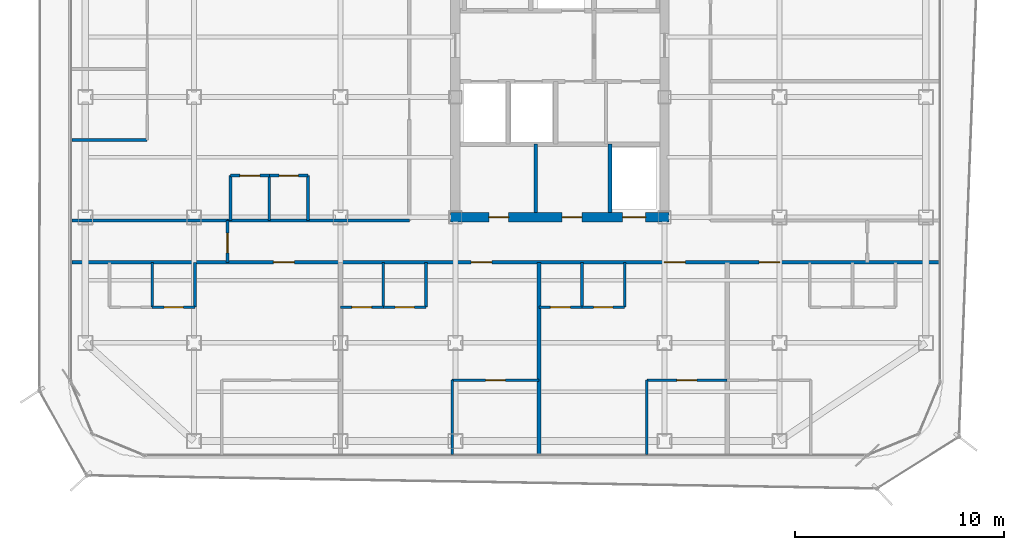
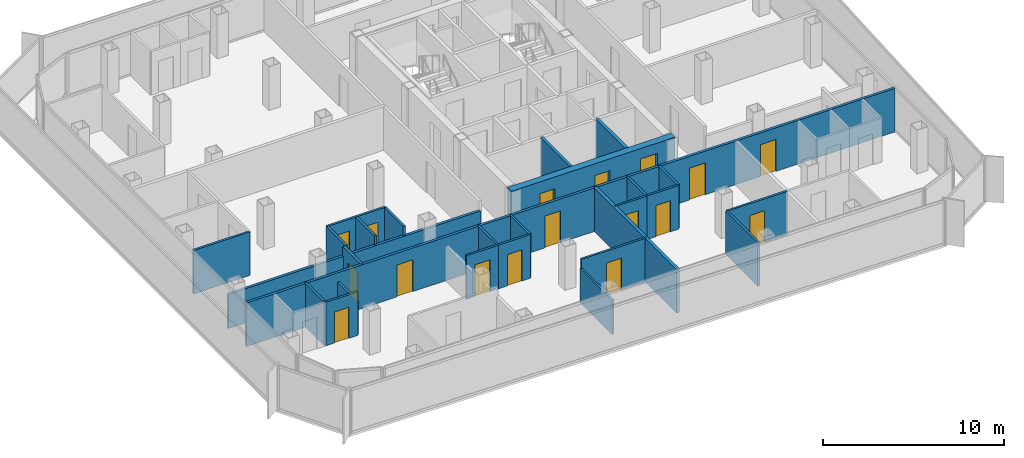
# One storey, part 10 of 16: 29 walls, 17 doors, 17 openings.
"""IFC4 building model written with IfcOpenShell, lengths in metres."""

from ifc_helpers import new_model, si_unit, direction, frame, frame_2d, origin, place, context, subcontext, project, spatial, rectangle, extrude, material, layer, layer_set, type_object, element, fill, save


model = new_model("IFC4")

# Units and contexts
model_context = context("Model", 3, precision=1e-05, world=origin(), true_north=direction((0.0, 1.0)))
body_context = subcontext(model_context, "Body", "Model", "MODEL_VIEW")
ifc_project = project(units=[si_unit("LENGTHUNIT", "METRE"), si_unit("AREAUNIT", "SQUARE_METRE"), si_unit("VOLUMEUNIT", "CUBIC_METRE"), si_unit("PLANEANGLEUNIT", "RADIAN"), si_unit("MASSUNIT", "GRAM", prefix="KILO")], contexts=[model_context])

# Site, building, storey
site_placement = place(None, origin())
site = spatial("IfcSite", under=ifc_project, at=site_placement, CompositionType="ELEMENT")
building_placement = place(site_placement, origin())
building = spatial("IfcBuilding", under=site, at=building_placement, Name="Kolveth Station Tower", CompositionType="ELEMENT")
storey_placement = place(building_placement, frame((0.0, 0.0, 206.0)))
storey = spatial("IfcBuildingStorey", under=building, at=storey_placement, Name="L58", CompositionType="ELEMENT", Elevation=206.0)

# Wall, openings, doors
ifc_material_1 = material(Name="Concrete C50/60", Category="concrete")
ifc_layer_1 = layer(ifc_material_1, 0.449951171875)
ifc_layer_set_1 = layer_set([ifc_layer_1], Name="Concrete C50/60")
wall_type_1 = type_object("IfcWallType", Name="Wall_CW-450", PredefinedType="SHEAR", material=ifc_layer_set_1)
wall_1_placement = place(storey_placement, frame((18.27490234375, 11.5, 0.0), z_axis=(0.0, 0.0, 1.0), x_axis=(1.0, 0.0, 0.0)))
wall_1 = element("IfcWall", 1, at=wall_1_placement, inside=storey, type_object=wall_type_1, Name="L58 Core RC Shear Wall S", PredefinedType="SHEAR", context=body_context, shape_type="SweptSolid", body=[
    extrude(rectangle(XDim=10.4501953125, YDim=0.449951171875, at=frame_2d((5.22509765625, 0.0))), origin(), (0.0, 0.0, 1.0), 2.949951171875),
])
opening_1_placement = place(wall_1_placement, frame((1.824951171875, 0.0, 0.0)))
opening_1 = element("IfcOpeningElement", 2, at=opening_1_placement, cuts=wall_1, Name="Opening ID1", PredefinedType="OPENING", context=body_context, shape_type="SweptSolid", body=[
    extrude(rectangle(XDim=0.949951171875, YDim=2.14990234375, at=frame_2d((0.47509765625, 1.074951171875))), frame((0.0, 0.23486328125, 0.0), z_axis=(0.0, -1.0, 0.0), x_axis=(1.0, 0.0, 0.0)), (0.0, 0.0, 1.0), 0.469970703125),
])
opening_2_placement = place(wall_1_placement, frame((5.324951171875, 0.0, 0.0)))
opening_2 = element("IfcOpeningElement", 3, at=opening_2_placement, cuts=wall_1, Name="Opening ID1", PredefinedType="OPENING", context=body_context, shape_type="SweptSolid", body=[
    extrude(rectangle(XDim=0.949951171875, YDim=2.14990234375, at=frame_2d((0.47509765625, 1.074951171875))), frame((0.0, 0.23486328125, 0.0), z_axis=(0.0, -1.0, 0.0), x_axis=(1.0, 0.0, 0.0)), (0.0, 0.0, 1.0), 0.469970703125),
])
opening_3_placement = place(wall_1_placement, frame((8.22509765625, 0.0, 0.0)))
opening_3 = element("IfcOpeningElement", 4, at=opening_3_placement, cuts=wall_1, Name="Opening LD1", PredefinedType="OPENING", context=body_context, shape_type="SweptSolid", body=[
    extrude(rectangle(XDim=1.10009765625, YDim=2.25, at=frame_2d((0.550048828125, 1.125))), frame((0.0, 0.23486328125, 0.0), z_axis=(0.0, -1.0, 0.0), x_axis=(1.0, 0.0, 0.0)), (0.0, 0.0, 1.0), 0.469970703125),
])
ifc_material_2 = material(Name="Acoustic hardwood leaf and aluminium frame", Category="wood")
door_type_1 = type_object("IfcDoorType", Name="Door_ID1", OperationType="NOTDEFINED", PredefinedType="DOOR", material=ifc_material_2)
door_1_placement = place(opening_1_placement, frame((0.949951171875, 0.0, 0.0), z_axis=(0.0, 0.0, 1.0), x_axis=(-1.0, 0.0, 0.0)))
door_1 = element("IfcDoor", 5, at=door_1_placement, inside=storey, type_object=door_type_1, Name="L58 Laundry Room Door", OperationType="SINGLE_SWING_LEFT", OverallHeight=2.14990234375, OverallWidth=0.949951171875, PredefinedType="DOOR", context=body_context, shape_type="SweptSolid", body=[
    extrude(rectangle(XDim=0.949951171875, YDim=2.14990234375, at=frame_2d((0.47509765625, 1.074951171875))), frame((0.0, 0.02490234375, 0.0), z_axis=(0.0, -1.0, 0.0), x_axis=(1.0, 0.0, 0.0)), (0.0, 0.0, 1.0), 0.050048828125),
])
fill(opening_1, door_1)
door_2_placement = place(opening_2_placement, frame((0.949951171875, 0.0, 0.0), z_axis=(0.0, 0.0, 1.0), x_axis=(-1.0, 0.0, 0.0)))
door_2 = element("IfcDoor", 6, at=door_2_placement, inside=storey, type_object=door_type_1, Name="L58 Parcel Room Door", OperationType="SINGLE_SWING_RIGHT", OverallHeight=2.14990234375, OverallWidth=0.949951171875, PredefinedType="DOOR", context=body_context, shape_type="SweptSolid", body=[
    extrude(rectangle(XDim=0.949951171875, YDim=2.14990234375, at=frame_2d((0.47509765625, 1.074951171875))), frame((0.0, 0.02490234375, 0.0), z_axis=(0.0, -1.0, 0.0), x_axis=(1.0, 0.0, 0.0)), (0.0, 0.0, 1.0), 0.050048828125),
])
fill(opening_2, door_2)
ifc_material_3 = material(Name="Brushed stainless steel sliding landing doors", Category="steel")
door_type_2 = type_object("IfcDoorType", Name="Door_LD1", OperationType="NOTDEFINED", PredefinedType="DOOR", material=ifc_material_3)
door_3_placement = place(opening_3_placement, frame((1.10009765625, 0.0, 0.0), z_axis=(0.0, 0.0, 1.0), x_axis=(-1.0, 0.0, 0.0)))
door_3 = element("IfcDoor", 7, at=door_3_placement, inside=storey, type_object=door_type_2, Name="L58 Lift PH1 Landing Door", OperationType="DOUBLE_DOOR_SLIDING", OverallHeight=2.25, OverallWidth=1.10009765625, PredefinedType="DOOR", context=body_context, shape_type="SweptSolid", body=[
    extrude(rectangle(XDim=1.10009765625, YDim=2.25, at=frame_2d((0.550048828125, 1.125))), frame((0.0, 0.02490234375, 0.0), z_axis=(0.0, -1.0, 0.0), x_axis=(1.0, 0.0, 0.0)), (0.0, 0.0, 1.0), 0.050048828125),
])
fill(opening_3, door_3)

# Wall, opening, door
ifc_material_4 = material(Name="Moisture-resistant gypsum partition")
ifc_layer_2 = layer(ifc_material_4, 0.135009765625)
ifc_layer_set_2 = layer_set([ifc_layer_2], Name="Moisture-resistant gypsum partition")
wall_type_2 = type_object("IfcWallType", Name="Wall_IW-135", PredefinedType="PARTITIONING", material=ifc_layer_set_2)
wall_2_placement = place(storey_placement, frame((4.0, 7.199951171875, 0.0), z_axis=(0.0, 0.0, 1.0), x_axis=(1.0, 0.0, 0.0)))
wall_2 = element("IfcWall", 8, at=wall_2_placement, inside=storey, type_object=wall_type_2, Name="L58 Partition Wall WL-L58-A1-IBHB", PredefinedType="PARTITIONING", context=body_context, shape_type="SweptSolid", body=[
    extrude(rectangle(XDim=2.050048828125, YDim=0.135009765625, at=frame_2d((1.02490234375, 0.0))), origin(), (0.0, 0.0, 1.0), 2.949951171875),
])
opening_4_placement = place(wall_2_placement, frame((0.56494140625, 0.0, 0.0)))
opening_4 = element("IfcOpeningElement", 9, at=opening_4_placement, cuts=wall_2, Name="Opening ID2", PredefinedType="OPENING", context=body_context, shape_type="SweptSolid", body=[
    extrude(rectangle(XDim=0.919921875, YDim=2.10009765625, at=frame_2d((0.4599609375, 1.050048828125))), frame((0.0, 0.077392578125, 0.0), z_axis=(0.0, -1.0, 0.0), x_axis=(1.0, 0.0, 0.0)), (0.0, 0.0, 1.0), 0.155029296875),
])
ifc_material_5 = material(Name="Moisture-resistant hardwood leaf", Category="wood")
door_type_3 = type_object("IfcDoorType", Name="Door_ID2", OperationType="NOTDEFINED", PredefinedType="DOOR", material=ifc_material_5)
door_4_placement = place(opening_4_placement, origin())
door_4 = element("IfcDoor", 10, at=door_4_placement, inside=storey, type_object=door_type_3, Name="Penthouse Flat L58-A1 Bathroom Door", OperationType="SINGLE_SWING_RIGHT", OverallHeight=2.10009765625, OverallWidth=0.919921875, PredefinedType="DOOR", context=body_context, shape_type="SweptSolid", body=[
    extrude(rectangle(XDim=0.919921875, YDim=2.10009765625, at=frame_2d((0.4599609375, 1.050048828125))), frame((0.0, 0.02490234375, 0.0), z_axis=(0.0, -1.0, 0.0), x_axis=(1.0, 0.0, 0.0)), (0.0, 0.0, 1.0), 0.050048828125),
])
fill(opening_4, door_4)

# Walls
wall_3_placement = place(storey_placement, frame((4.0, 7.199951171875, 0.0), z_axis=(0.0, 0.0, 1.0), x_axis=(0.0, 1.0, 0.0)))
element("IfcWall", 11, at=wall_3_placement, inside=storey, type_object=wall_type_2, Name="L58 Partition Wall WL-L58-A1-IBV1", PredefinedType="PARTITIONING", context=body_context, shape_type="SweptSolid", body=[
    extrude(rectangle(XDim=2.150146484375, YDim=0.135009765625, at=frame_2d((1.0751953125, 0.0))), origin(), (0.0, 0.0, 1.0), 2.949951171875),
])
wall_4_placement = place(storey_placement, frame((6.050048828125, 7.199951171875, 0.0), z_axis=(0.0, 0.0, 1.0), x_axis=(0.0, 1.0, 0.0)))
element("IfcWall", 12, at=wall_4_placement, inside=storey, type_object=wall_type_2, Name="L58 Partition Wall WL-L58-A1-IBV2", PredefinedType="PARTITIONING", context=body_context, shape_type="SweptSolid", body=[
    extrude(rectangle(XDim=2.150146484375, YDim=0.135009765625, at=frame_2d((1.0751953125, 0.0))), origin(), (0.0, 0.0, 1.0), 2.322998046875),
])

# Wall, opening, door
wall_5_placement = place(storey_placement, frame((13.0, 7.199951171875, 0.0), z_axis=(0.0, 0.0, 1.0), x_axis=(1.0, 0.0, 0.0)))
wall_5 = element("IfcWall", 13, at=wall_5_placement, inside=storey, type_object=wall_type_2, Name="L58 Partition Wall WL-L58-A2-IBHK", PredefinedType="PARTITIONING", context=body_context, shape_type="SweptSolid", body=[
    extrude(rectangle(XDim=2.050048828125, YDim=0.135009765625, at=frame_2d((1.02490234375, 0.0))), origin(), (0.0, 0.0, 1.0), 2.949951171875),
])
opening_5_placement = place(wall_5_placement, frame((0.544921875, 0.0, 0.0)))
opening_5 = element("IfcOpeningElement", 14, at=opening_5_placement, cuts=wall_5, Name="Opening ID1", PredefinedType="OPENING", context=body_context, shape_type="SweptSolid", body=[
    extrude(rectangle(XDim=0.949951171875, YDim=2.14990234375, at=frame_2d((0.47509765625, 1.074951171875))), frame((0.0, 0.077392578125, 0.0), z_axis=(0.0, -1.0, 0.0), x_axis=(1.0, 0.0, 0.0)), (0.0, 0.0, 1.0), 0.155029296875),
])
door_5_placement = place(opening_5_placement, origin())
door_5 = element("IfcDoor", 15, at=door_5_placement, inside=storey, type_object=door_type_1, Name="Flat L58-A2 Kitchen Door", OperationType="SINGLE_SWING_LEFT", OverallHeight=2.14990234375, OverallWidth=0.949951171875, PredefinedType="DOOR", context=body_context, shape_type="SweptSolid", body=[
    extrude(rectangle(XDim=0.949951171875, YDim=2.14990234375, at=frame_2d((0.47509765625, 1.074951171875))), frame((0.0, 0.02490234375, 0.0), z_axis=(0.0, -1.0, 0.0), x_axis=(1.0, 0.0, 0.0)), (0.0, 0.0, 1.0), 0.050048828125),
])
fill(opening_5, door_5)

wall_6_placement = place(storey_placement, frame((15.050048828125, 7.199951171875, 0.0), z_axis=(0.0, 0.0, 1.0), x_axis=(1.0, 0.0, 0.0)))
wall_6 = element("IfcWall", 16, at=wall_6_placement, inside=storey, type_object=wall_type_2, Name="L58 Partition Wall WL-L58-A2-IBHB", PredefinedType="PARTITIONING", context=body_context, shape_type="SweptSolid", body=[
    extrude(rectangle(XDim=2.050048828125, YDim=0.135009765625, at=frame_2d((1.02490234375, 0.0))), origin(), (0.0, 0.0, 1.0), 2.949951171875),
])
opening_6_placement = place(wall_6_placement, frame((0.56494140625, 0.0, 0.0)))
opening_6 = element("IfcOpeningElement", 17, at=opening_6_placement, cuts=wall_6, Name="Opening ID2", PredefinedType="OPENING", context=body_context, shape_type="SweptSolid", body=[
    extrude(rectangle(XDim=0.919921875, YDim=2.10009765625, at=frame_2d((0.4599609375, 1.050048828125))), frame((0.0, 0.077392578125, 0.0), z_axis=(0.0, -1.0, 0.0), x_axis=(1.0, 0.0, 0.0)), (0.0, 0.0, 1.0), 0.155029296875),
])
door_6_placement = place(opening_6_placement, origin())
door_6 = element("IfcDoor", 18, at=door_6_placement, inside=storey, type_object=door_type_3, Name="Flat L58-A2 Bathroom Door", OperationType="SINGLE_SWING_LEFT", OverallHeight=2.10009765625, OverallWidth=0.919921875, PredefinedType="DOOR", context=body_context, shape_type="SweptSolid", body=[
    extrude(rectangle(XDim=0.919921875, YDim=2.10009765625, at=frame_2d((0.4599609375, 1.050048828125))), frame((0.0, 0.02490234375, 0.0), z_axis=(0.0, -1.0, 0.0), x_axis=(1.0, 0.0, 0.0)), (0.0, 0.0, 1.0), 0.050048828125),
])
fill(opening_6, door_6)

# Walls
for number, where, z_axis, x_axis, name in (
    (19, (15.050048828125, 7.199951171875, 0.0), (0.0, 0.0, 1.0), (0.0, 1.0, 0.0), "L58 Partition Wall WL-L58-A2-IBV1"),
    (20, (17.10009765625, 7.199951171875, 0.0), (0.0, 0.0, 1.0), (0.0, 1.0, 0.0), "L58 Partition Wall WL-L58-A2-IBV2"),
):
    element("IfcWall", number, at=place(storey_placement, frame(where, z_axis=z_axis, x_axis=x_axis)), inside=storey, type_object=wall_type_2, Name=name, PredefinedType="PARTITIONING", context=body_context, shape_type="SweptSolid", body=[
        extrude(rectangle(XDim=2.150146484375, YDim=0.135009765625, at=frame_2d((1.0751953125, 0.0))), origin(), (0.0, 0.0, 1.0), 2.949951171875),
    ])
wall_7_placement = place(storey_placement, frame((18.345947265625, 0.159912109375, 0.0), z_axis=(0.0, 0.0, 1.0), x_axis=(0.0, 1.0, 0.0)))
element("IfcWall", 21, at=wall_7_placement, inside=storey, type_object=wall_type_2, Name="L58 Partition Wall WL-L58-A2-BDV0", PredefinedType="PARTITIONING", context=body_context, shape_type="SweptSolid", body=[
    extrude(rectangle(XDim=3.550048828125, YDim=0.135009765625, at=frame_2d((1.77490234375, 0.0))), origin(), (0.0, 0.0, 1.0), 2.322998046875),
])

# Wall, opening, door
wall_8_placement = place(storey_placement, frame((18.345947265625, 3.7099609375, 0.0), z_axis=(0.0, 0.0, 1.0), x_axis=(1.0, 0.0, 0.0)))
wall_8 = element("IfcWall", 22, at=wall_8_placement, inside=storey, type_object=wall_type_2, Name="L58 Partition Wall WL-L58-A2-BDH1", PredefinedType="PARTITIONING", context=body_context, shape_type="SweptSolid", body=[
    extrude(rectangle(XDim=4.154052734375, YDim=0.135009765625, at=frame_2d((2.0771484375, 0.0))), origin(), (0.0, 0.0, 1.0), 2.949951171875),
])
opening_7_placement = place(wall_8_placement, frame((1.596923828125, 0.0, 0.0)))
opening_7 = element("IfcOpeningElement", 23, at=opening_7_placement, cuts=wall_8, Name="Opening ID1", PredefinedType="OPENING", context=body_context, shape_type="SweptSolid", body=[
    extrude(rectangle(XDim=0.949951171875, YDim=2.14990234375, at=frame_2d((0.47509765625, 1.074951171875))), frame((0.0, 0.077392578125, 0.0), z_axis=(0.0, -1.0, 0.0), x_axis=(1.0, 0.0, 0.0)), (0.0, 0.0, 1.0), 0.155029296875),
])
door_7_placement = place(opening_7_placement, frame((0.949951171875, 0.0, 0.0), z_axis=(0.0, 0.0, 1.0), x_axis=(-1.0, 0.0, 0.0)))
door_7 = element("IfcDoor", 24, at=door_7_placement, inside=storey, type_object=door_type_1, Name="Flat L58-A2 Bedroom 1 Door", OperationType="SINGLE_SWING_LEFT", OverallHeight=2.14990234375, OverallWidth=0.949951171875, PredefinedType="DOOR", context=body_context, shape_type="SweptSolid", body=[
    extrude(rectangle(XDim=0.949951171875, YDim=2.14990234375, at=frame_2d((0.47509765625, 1.074951171875))), frame((0.0, 0.02490234375, 0.0), z_axis=(0.0, -1.0, 0.0), x_axis=(1.0, 0.0, 0.0)), (0.0, 0.0, 1.0), 0.050048828125),
])
fill(opening_7, door_7)

wall_9_placement = place(storey_placement, frame((22.5, 7.199951171875, 0.0), z_axis=(0.0, 0.0, 1.0), x_axis=(1.0, 0.0, 0.0)))
wall_9 = element("IfcWall", 25, at=wall_9_placement, inside=storey, type_object=wall_type_2, Name="L58 Partition Wall WL-L58-A3-IBHK", PredefinedType="PARTITIONING", context=body_context, shape_type="SweptSolid", body=[
    extrude(rectangle(XDim=2.050048828125, YDim=0.135009765625, at=frame_2d((1.02490234375, 0.0))), origin(), (0.0, 0.0, 1.0), 2.949951171875),
])
opening_8_placement = place(wall_9_placement, frame((0.544921875, 0.0, 0.0)))
opening_8 = element("IfcOpeningElement", 26, at=opening_8_placement, cuts=wall_9, Name="Opening ID1", PredefinedType="OPENING", context=body_context, shape_type="SweptSolid", body=[
    extrude(rectangle(XDim=0.949951171875, YDim=2.14990234375, at=frame_2d((0.47509765625, 1.074951171875))), frame((0.0, 0.077392578125, 0.0), z_axis=(0.0, -1.0, 0.0), x_axis=(1.0, 0.0, 0.0)), (0.0, 0.0, 1.0), 0.155029296875),
])
door_8_placement = place(opening_8_placement, origin())
door_8 = element("IfcDoor", 27, at=door_8_placement, inside=storey, type_object=door_type_1, Name="Flat L58-A3 Kitchen Door", OperationType="SINGLE_SWING_LEFT", OverallHeight=2.14990234375, OverallWidth=0.949951171875, PredefinedType="DOOR", context=body_context, shape_type="SweptSolid", body=[
    extrude(rectangle(XDim=0.949951171875, YDim=2.14990234375, at=frame_2d((0.47509765625, 1.074951171875))), frame((0.0, 0.02490234375, 0.0), z_axis=(0.0, -1.0, 0.0), x_axis=(1.0, 0.0, 0.0)), (0.0, 0.0, 1.0), 0.050048828125),
])
fill(opening_8, door_8)

wall_10_placement = place(storey_placement, frame((24.550048828125, 7.199951171875, 0.0), z_axis=(0.0, 0.0, 1.0), x_axis=(1.0, 0.0, 0.0)))
wall_10 = element("IfcWall", 28, at=wall_10_placement, inside=storey, type_object=wall_type_2, Name="L58 Partition Wall WL-L58-A3-IBHB", PredefinedType="PARTITIONING", context=body_context, shape_type="SweptSolid", body=[
    extrude(rectangle(XDim=2.050048828125, YDim=0.135009765625, at=frame_2d((1.02490234375, 0.0))), origin(), (0.0, 0.0, 1.0), 2.949951171875),
])
opening_9_placement = place(wall_10_placement, frame((0.56494140625, 0.0, 0.0)))
opening_9 = element("IfcOpeningElement", 29, at=opening_9_placement, cuts=wall_10, Name="Opening ID2", PredefinedType="OPENING", context=body_context, shape_type="SweptSolid", body=[
    extrude(rectangle(XDim=0.919921875, YDim=2.10009765625, at=frame_2d((0.4599609375, 1.050048828125))), frame((0.0, 0.077392578125, 0.0), z_axis=(0.0, -1.0, 0.0), x_axis=(1.0, 0.0, 0.0)), (0.0, 0.0, 1.0), 0.155029296875),
])
door_9_placement = place(opening_9_placement, origin())
door_9 = element("IfcDoor", 30, at=door_9_placement, inside=storey, type_object=door_type_3, Name="Flat L58-A3 Bathroom Door", OperationType="SINGLE_SWING_RIGHT", OverallHeight=2.10009765625, OverallWidth=0.919921875, PredefinedType="DOOR", context=body_context, shape_type="SweptSolid", body=[
    extrude(rectangle(XDim=0.919921875, YDim=2.10009765625, at=frame_2d((0.4599609375, 1.050048828125))), frame((0.0, 0.02490234375, 0.0), z_axis=(0.0, -1.0, 0.0), x_axis=(1.0, 0.0, 0.0)), (0.0, 0.0, 1.0), 0.050048828125),
])
fill(opening_9, door_9)

# Walls
for number, where, z_axis, x_axis, name in (
    (31, (24.550048828125, 7.199951171875, 0.0), (0.0, 0.0, 1.0), (0.0, 1.0, 0.0), "L58 Partition Wall WL-L58-A3-IBV1"),
    (32, (26.60009765625, 7.199951171875, 0.0), (0.0, 0.0, 1.0), (0.0, 1.0, 0.0), "L58 Partition Wall WL-L58-A3-IBV2"),
):
    element("IfcWall", number, at=place(storey_placement, frame(where, z_axis=z_axis, x_axis=x_axis)), inside=storey, type_object=wall_type_2, Name=name, PredefinedType="PARTITIONING", context=body_context, shape_type="SweptSolid", body=[
        extrude(rectangle(XDim=2.150146484375, YDim=0.135009765625, at=frame_2d((1.0751953125, 0.0))), origin(), (0.0, 0.0, 1.0), 2.949951171875),
    ])
wall_11_placement = place(storey_placement, frame((27.656005859375, 0.159912109375, 0.0), z_axis=(0.0, 0.0, 1.0), x_axis=(0.0, 1.0, 0.0)))
element("IfcWall", 33, at=wall_11_placement, inside=storey, type_object=wall_type_2, Name="L58 Partition Wall WL-L58-A3-BDV0", PredefinedType="PARTITIONING", context=body_context, shape_type="SweptSolid", body=[
    extrude(rectangle(XDim=3.550048828125, YDim=0.135009765625, at=frame_2d((1.77490234375, 0.0))), origin(), (0.0, 0.0, 1.0), 2.949951171875),
])

# Wall, opening, door
wall_12_placement = place(storey_placement, frame((27.656005859375, 3.7099609375, 0.0), z_axis=(0.0, 0.0, 1.0), x_axis=(1.0, 0.0, 0.0)))
wall_12 = element("IfcWall", 34, at=wall_12_placement, inside=storey, type_object=wall_type_2, Name="L58 Partition Wall WL-L58-A3-BDH1", PredefinedType="PARTITIONING", context=body_context, shape_type="SweptSolid", body=[
    extrude(rectangle(XDim=3.843994140625, YDim=0.135009765625, at=frame_2d((1.921875, 0.0))), origin(), (0.0, 0.0, 1.0), 2.949951171875),
])
opening_10_placement = place(wall_12_placement, frame((1.44189453125, 0.0, 0.0)))
opening_10 = element("IfcOpeningElement", 35, at=opening_10_placement, cuts=wall_12, Name="Opening ID1", PredefinedType="OPENING", context=body_context, shape_type="SweptSolid", body=[
    extrude(rectangle(XDim=0.949951171875, YDim=2.14990234375, at=frame_2d((0.47509765625, 1.074951171875))), frame((0.0, 0.077392578125, 0.0), z_axis=(0.0, -1.0, 0.0), x_axis=(1.0, 0.0, 0.0)), (0.0, 0.0, 1.0), 0.155029296875),
])
door_10_placement = place(opening_10_placement, frame((0.949951171875, 0.0, 0.0), z_axis=(0.0, 0.0, 1.0), x_axis=(-1.0, 0.0, 0.0)))
door_10 = element("IfcDoor", 36, at=door_10_placement, inside=storey, type_object=door_type_1, Name="Flat L58-A3 Bedroom 1 Door", OperationType="SINGLE_SWING_LEFT", OverallHeight=2.14990234375, OverallWidth=0.949951171875, PredefinedType="DOOR", context=body_context, shape_type="SweptSolid", body=[
    extrude(rectangle(XDim=0.949951171875, YDim=2.14990234375, at=frame_2d((0.47509765625, 1.074951171875))), frame((0.0, 0.02490234375, 0.0), z_axis=(0.0, -1.0, 0.0), x_axis=(1.0, 0.0, 0.0)), (0.0, 0.0, 1.0), 0.050048828125),
])
fill(opening_10, door_10)

wall_13_placement = place(storey_placement, frame((7.75, 13.5, 0.0), z_axis=(0.0, 0.0, 1.0), x_axis=(1.0, 0.0, 0.0)))
wall_13 = element("IfcWall", 37, at=wall_13_placement, inside=storey, type_object=wall_type_2, Name="L58 Partition Wall WL-L58-W1-IBHK", PredefinedType="PARTITIONING", context=body_context, shape_type="SweptSolid", body=[
    extrude(rectangle(XDim=1.85009765625, YDim=0.135009765625, at=frame_2d((0.925048828125, 0.0))), origin(), (0.0, 0.0, 1.0), 2.949951171875),
])
opening_11_placement = place(wall_13_placement, frame((0.445068359375, 0.0, 0.0)))
opening_11 = element("IfcOpeningElement", 38, at=opening_11_placement, cuts=wall_13, Name="Opening ID1", PredefinedType="OPENING", context=body_context, shape_type="SweptSolid", body=[
    extrude(rectangle(XDim=0.949951171875, YDim=2.14990234375, at=frame_2d((0.47509765625, 1.074951171875))), frame((0.0, 0.077392578125, 0.0), z_axis=(0.0, -1.0, 0.0), x_axis=(1.0, 0.0, 0.0)), (0.0, 0.0, 1.0), 0.155029296875),
])
door_11_placement = place(opening_11_placement, origin())
door_11 = element("IfcDoor", 39, at=door_11_placement, inside=storey, type_object=door_type_1, Name="Penthouse Flat L58-W1 Kitchen Door", OperationType="SINGLE_SWING_LEFT", OverallHeight=2.14990234375, OverallWidth=0.949951171875, PredefinedType="DOOR", context=body_context, shape_type="SweptSolid", body=[
    extrude(rectangle(XDim=0.949951171875, YDim=2.14990234375, at=frame_2d((0.47509765625, 1.074951171875))), frame((0.0, 0.02490234375, 0.0), z_axis=(0.0, -1.0, 0.0), x_axis=(1.0, 0.0, 0.0)), (0.0, 0.0, 1.0), 0.050048828125),
])
fill(opening_11, door_11)

wall_14_placement = place(storey_placement, frame((9.60009765625, 13.5, 0.0), z_axis=(0.0, 0.0, 1.0), x_axis=(1.0, 0.0, 0.0)))
wall_14 = element("IfcWall", 40, at=wall_14_placement, inside=storey, type_object=wall_type_2, Name="L58 Partition Wall WL-L58-W1-IBHB", PredefinedType="PARTITIONING", context=body_context, shape_type="SweptSolid", body=[
    extrude(rectangle(XDim=1.849853515625, YDim=0.135009765625, at=frame_2d((0.9248046875, 0.0))), origin(), (0.0, 0.0, 1.0), 2.949951171875),
])
opening_12_placement = place(wall_14_placement, frame((0.465087890625, 0.0, 0.0)))
opening_12 = element("IfcOpeningElement", 41, at=opening_12_placement, cuts=wall_14, Name="Opening ID2", PredefinedType="OPENING", context=body_context, shape_type="SweptSolid", body=[
    extrude(rectangle(XDim=0.919921875, YDim=2.10009765625, at=frame_2d((0.4599609375, 1.050048828125))), frame((0.0, 0.077392578125, 0.0), z_axis=(0.0, -1.0, 0.0), x_axis=(1.0, 0.0, 0.0)), (0.0, 0.0, 1.0), 0.155029296875),
])
door_12_placement = place(opening_12_placement, origin())
door_12 = element("IfcDoor", 42, at=door_12_placement, inside=storey, type_object=door_type_3, Name="Penthouse Flat L58-W1 Bathroom Door", OperationType="SINGLE_SWING_RIGHT", OverallHeight=2.10009765625, OverallWidth=0.919921875, PredefinedType="DOOR", context=body_context, shape_type="SweptSolid", body=[
    extrude(rectangle(XDim=0.919921875, YDim=2.10009765625, at=frame_2d((0.4599609375, 1.050048828125))), frame((0.0, 0.02490234375, 0.0), z_axis=(0.0, -1.0, 0.0), x_axis=(1.0, 0.0, 0.0)), (0.0, 0.0, 1.0), 0.050048828125),
])
fill(opening_12, door_12)

# Walls
for number, where, z_axis, x_axis, name in (
    (43, (7.75, 11.35009765625, 0.0), (0.0, 0.0, 1.0), (0.0, 1.0, 0.0), "L58 Partition Wall WL-L58-W1-IBV0"),
    (44, (9.60009765625, 11.35009765625, 0.0), (0.0, 0.0, 1.0), (0.0, 1.0, 0.0), "L58 Partition Wall WL-L58-W1-IBV1"),
    (45, (11.449951171875, 11.35009765625, 0.0), (0.0, 0.0, 1.0), (0.0, 1.0, 0.0), "L58 Partition Wall WL-L58-W1-IBV2"),
):
    element("IfcWall", number, at=place(storey_placement, frame(where, z_axis=z_axis, x_axis=x_axis)), inside=storey, type_object=wall_type_2, Name=name, PredefinedType="PARTITIONING", context=body_context, shape_type="SweptSolid", body=[
        extrude(rectangle(XDim=2.14990234375, YDim=0.135009765625, at=frame_2d((1.074951171875, 0.0))), origin(), (0.0, 0.0, 1.0), 2.949951171875),
    ])
wall_15_placement = place(storey_placement, frame((0.159912109375, 15.199951171875, 0.0), z_axis=(0.0, 0.0, 1.0), x_axis=(1.0, 0.0, 0.0)))
element("IfcWall", 46, at=wall_15_placement, inside=storey, type_object=wall_type_2, Name="L58 Partition Wall WL-L58-W1-BDH0", PredefinedType="PARTITIONING", context=body_context, shape_type="SweptSolid", body=[
    extrude(rectangle(XDim=3.60009765625, YDim=0.135009765625, at=frame_2d((1.800048828125, 0.0))), origin(), (0.0, 0.0, 1.0), 2.949951171875),
])
ifc_material_6 = material(Name="Acoustic double-stud gypsum partition")
ifc_layer_3 = layer(ifc_material_6, 0.1650390625)
ifc_layer_set_3 = layer_set([ifc_layer_3], Name="Acoustic double-stud gypsum partition")
wall_type_3 = type_object("IfcWallType", Name="Wall_IW-165", PredefinedType="PARTITIONING", material=ifc_layer_set_3)
wall_16_placement = place(storey_placement, frame((22.35009765625, 11.735107421875, 0.0), z_axis=(0.0, 0.0, 1.0), x_axis=(0.0, 1.0, 0.0)))
element("IfcWall", 47, at=wall_16_placement, inside=storey, type_object=wall_type_3, Name="L58 Partition Wall WL-L58-FR-M", PredefinedType="PARTITIONING", context=body_context, shape_type="SweptSolid", body=[
    extrude(rectangle(XDim=3.264892578125, YDim=0.1650390625, at=frame_2d((1.63232421875, 0.0))), origin(), (0.0, 0.0, 1.0), 2.949951171875),
])

# Wall, openings, doors
wall_17_placement = place(storey_placement, frame((0.159912109375, 9.35009765625, 0.0), z_axis=(0.0, 0.0, 1.0), x_axis=(1.0, 0.0, 0.0)))
wall_17 = element("IfcWall", 48, at=wall_17_placement, inside=storey, type_object=wall_type_3, Name="L58 Partition Wall WL-L58-RS", PredefinedType="PARTITIONING", context=body_context, shape_type="SweptSolid", body=[
    extrude(rectangle(XDim=41.47998046875, YDim=0.1650390625, at=frame_2d((20.739990234375, 0.0))), origin(), (0.0, 0.0, 1.0), 2.949951171875),
])
opening_13_placement = place(wall_17_placement, frame((9.639892578125, 0.0, 0.0)))
opening_13 = element("IfcOpeningElement", 49, at=opening_13_placement, cuts=wall_17, Name="Opening FD3", PredefinedType="OPENING", context=body_context, shape_type="SweptSolid", body=[
    extrude(rectangle(XDim=1.0, YDim=2.14990234375, at=frame_2d((0.5, 1.074951171875))), frame((0.0, 0.092529296875, 0.0), z_axis=(0.0, -1.0, 0.0), x_axis=(1.0, 0.0, 0.0)), (0.0, 0.0, 1.0), 0.18505859375),
])
opening_14_placement = place(wall_17_placement, frame((19.090087890625, 0.0, 0.0)))
opening_14 = element("IfcOpeningElement", 50, at=opening_14_placement, cuts=wall_17, Name="Opening FD3", PredefinedType="OPENING", context=body_context, shape_type="SweptSolid", body=[
    extrude(rectangle(XDim=1.0, YDim=2.14990234375, at=frame_2d((0.5, 1.074951171875))), frame((0.0, 0.092529296875, 0.0), z_axis=(0.0, -1.0, 0.0), x_axis=(1.0, 0.0, 0.0)), (0.0, 0.0, 1.0), 0.18505859375),
])
opening_15_placement = place(wall_17_placement, frame((28.340087890625, 0.0, 0.0)))
opening_15 = element("IfcOpeningElement", 51, at=opening_15_placement, cuts=wall_17, Name="Opening FD3", PredefinedType="OPENING", context=body_context, shape_type="SweptSolid", body=[
    extrude(rectangle(XDim=1.0, YDim=2.14990234375, at=frame_2d((0.5, 1.074951171875))), frame((0.0, 0.092529296875, 0.0), z_axis=(0.0, -1.0, 0.0), x_axis=(1.0, 0.0, 0.0)), (0.0, 0.0, 1.0), 0.18505859375),
])
opening_16_placement = place(wall_17_placement, frame((32.864990234375, 0.0, 0.0)))
opening_16 = element("IfcOpeningElement", 52, at=opening_16_placement, cuts=wall_17, Name="Opening FD3", PredefinedType="OPENING", context=body_context, shape_type="SweptSolid", body=[
    extrude(rectangle(XDim=1.0, YDim=2.14990234375, at=frame_2d((0.5, 1.074951171875))), frame((0.0, 0.092529296875, 0.0), z_axis=(0.0, -1.0, 0.0), x_axis=(1.0, 0.0, 0.0)), (0.0, 0.0, 1.0), 0.18505859375),
])
ifc_material_7 = material(Name="Fire-rated hardwood leaf and aluminium frame", Category="wood")
door_type_4 = type_object("IfcDoorType", Name="Door_FD3", OperationType="NOTDEFINED", PredefinedType="DOOR", material=ifc_material_7)
door_13_placement = place(opening_13_placement, frame((1.0, 0.0, 0.0), z_axis=(0.0, 0.0, 1.0), x_axis=(-1.0, 0.0, 0.0)))
door_13 = element("IfcDoor", 53, at=door_13_placement, inside=storey, type_object=door_type_4, Name="Penthouse Flat L58-A1 Entrance Door", OperationType="SINGLE_SWING_RIGHT", OverallHeight=2.14990234375, OverallWidth=1.0, PredefinedType="DOOR", context=body_context, shape_type="SweptSolid", body=[
    extrude(rectangle(XDim=1.0, YDim=2.14990234375, at=frame_2d((0.5, 1.074951171875))), frame((0.0, 0.02490234375, 0.0), z_axis=(0.0, -1.0, 0.0), x_axis=(1.0, 0.0, 0.0)), (0.0, 0.0, 1.0), 0.050048828125),
])
fill(opening_13, door_13)
door_14_placement = place(opening_14_placement, frame((1.0, 0.0, 0.0), z_axis=(0.0, 0.0, 1.0), x_axis=(-1.0, 0.0, 0.0)))
door_14 = element("IfcDoor", 54, at=door_14_placement, inside=storey, type_object=door_type_4, Name="Flat L58-A2 Entrance Door", OperationType="SINGLE_SWING_RIGHT", OverallHeight=2.14990234375, OverallWidth=1.0, PredefinedType="DOOR", context=body_context, shape_type="SweptSolid", body=[
    extrude(rectangle(XDim=1.0, YDim=2.14990234375, at=frame_2d((0.5, 1.074951171875))), frame((0.0, 0.02490234375, 0.0), z_axis=(0.0, -1.0, 0.0), x_axis=(1.0, 0.0, 0.0)), (0.0, 0.0, 1.0), 0.050048828125),
])
fill(opening_14, door_14)
door_15_placement = place(opening_15_placement, frame((1.0, 0.0, 0.0), z_axis=(0.0, 0.0, 1.0), x_axis=(-1.0, 0.0, 0.0)))
door_15 = element("IfcDoor", 55, at=door_15_placement, inside=storey, type_object=door_type_4, Name="Flat L58-A3 Entrance Door", OperationType="SINGLE_SWING_RIGHT", OverallHeight=2.14990234375, OverallWidth=1.0, PredefinedType="DOOR", context=body_context, shape_type="SweptSolid", body=[
    extrude(rectangle(XDim=1.0, YDim=2.14990234375, at=frame_2d((0.5, 1.074951171875))), frame((0.0, 0.02490234375, 0.0), z_axis=(0.0, -1.0, 0.0), x_axis=(1.0, 0.0, 0.0)), (0.0, 0.0, 1.0), 0.050048828125),
])
fill(opening_15, door_15)
door_16_placement = place(opening_16_placement, frame((1.0, 0.0, 0.0), z_axis=(0.0, 0.0, 1.0), x_axis=(-1.0, 0.0, 0.0)))
door_16 = element("IfcDoor", 56, at=door_16_placement, inside=storey, type_object=door_type_4, Name="Flat L58-A4 Entrance Door", OperationType="SINGLE_SWING_LEFT", OverallHeight=2.14990234375, OverallWidth=1.0, PredefinedType="DOOR", context=body_context, shape_type="SweptSolid", body=[
    extrude(rectangle(XDim=1.0, YDim=2.14990234375, at=frame_2d((0.5, 1.074951171875))), frame((0.0, 0.02490234375, 0.0), z_axis=(0.0, -1.0, 0.0), x_axis=(1.0, 0.0, 0.0)), (0.0, 0.0, 1.0), 0.050048828125),
])
fill(opening_16, door_16)

# Wall
wall_18_placement = place(storey_placement, frame((7.60009765625, 11.35009765625, 0.0), z_axis=(0.0, 0.0, 1.0), x_axis=(1.0, 0.0, 0.0)))
element("IfcWall", 57, at=wall_18_placement, inside=storey, type_object=wall_type_3, Name="L58 Partition Wall WL-L58-RSWT", PredefinedType="PARTITIONING", context=body_context, shape_type="SweptSolid", body=[
    extrude(rectangle(XDim=8.699951171875, YDim=0.1650390625, at=frame_2d((4.35009765625, 0.0))), origin(), (0.0, 0.0, 1.0), 2.322998046875),
])

# Wall, opening, door
wall_19_placement = place(storey_placement, frame((7.60009765625, 9.35009765625, 0.0), z_axis=(0.0, 0.0, 1.0), x_axis=(0.0, 1.0, 0.0)))
wall_19 = element("IfcWall", 58, at=wall_19_placement, inside=storey, type_object=wall_type_3, Name="L58 Partition Wall WL-L58-RSWE", PredefinedType="PARTITIONING", context=body_context, shape_type="SweptSolid", body=[
    extrude(rectangle(XDim=2.0, YDim=0.1650390625, at=frame_2d((1.0, 0.0))), origin(), (0.0, 0.0, 1.0), 2.949951171875),
])
opening_17_placement = place(wall_19_placement, frame((0.449951171875, 0.0, 0.0)))
opening_17 = element("IfcOpeningElement", 59, at=opening_17_placement, cuts=wall_19, Name="Opening ID1", PredefinedType="OPENING", context=body_context, shape_type="SweptSolid", body=[
    extrude(rectangle(XDim=0.949951171875, YDim=2.14990234375, at=frame_2d((0.47509765625, 1.074951171875))), frame((0.0, 0.092529296875, 0.0), z_axis=(0.0, -1.0, 0.0), x_axis=(1.0, 0.0, 0.0)), (0.0, 0.0, 1.0), 0.18505859375),
])
door_17_placement = place(opening_17_placement, frame((0.949951171875, 0.0, 0.0), z_axis=(0.0, 0.0, 1.0), x_axis=(-1.0, 0.0, 0.0)))
door_17 = element("IfcDoor", 60, at=door_17_placement, inside=storey, type_object=door_type_1, Name="L58 West Store Door", OperationType="SINGLE_SWING_LEFT", OverallHeight=2.14990234375, OverallWidth=0.949951171875, PredefinedType="DOOR", context=body_context, shape_type="SweptSolid", body=[
    extrude(rectangle(XDim=0.949951171875, YDim=2.14990234375, at=frame_2d((0.47509765625, 1.074951171875))), frame((0.0, 0.02490234375, 0.0), z_axis=(0.0, -1.0, 0.0), x_axis=(1.0, 0.0, 0.0)), (0.0, 0.0, 1.0), 0.050048828125),
])
fill(opening_17, door_17)

# Walls
wall_20_placement = place(storey_placement, frame((0.159912109375, 11.35009765625, 0.0), z_axis=(0.0, 0.0, 1.0), x_axis=(1.0, 0.0, 0.0)))
element("IfcWall", 61, at=wall_20_placement, inside=storey, type_object=wall_type_3, Name="L58 Partition Wall WL-L58-WSTN", PredefinedType="PARTITIONING", context=body_context, shape_type="SweptSolid", body=[
    extrude(rectangle(XDim=7.440185546875, YDim=0.1650390625, at=frame_2d((3.72021484375, 0.0))), origin(), (0.0, 0.0, 1.0), 2.322998046875),
])
ifc_material_8 = material(Name="Acoustic fire-rated gypsum blockwork", Category="masonry")
ifc_layer_4 = layer(ifc_material_8, 0.199951171875)
ifc_layer_set_4 = layer_set([ifc_layer_4], Name="Acoustic fire-rated gypsum blockwork")
wall_type_4 = type_object("IfcWallType", Name="Wall_IW-200", PredefinedType="PARTITIONING", material=ifc_layer_set_4)
wall_21_placement = place(storey_placement, frame((25.89990234375, 11.735107421875, 0.0), z_axis=(0.0, 0.0, 1.0), x_axis=(0.0, 1.0, 0.0)))
element("IfcWall", 62, at=wall_21_placement, inside=storey, type_object=wall_type_4, Name="L58 Partition Wall WL-L58-PMPH", PredefinedType="PARTITIONING", context=body_context, shape_type="SweptSolid", body=[
    extrude(rectangle(XDim=3.264892578125, YDim=0.199951171875, at=frame_2d((1.63232421875, 0.0))), origin(), (0.0, 0.0, 1.0), 2.949951171875),
])
wall_22_placement = place(storey_placement, frame((22.5, 0.159912109375, 0.0), z_axis=(0.0, 0.0, 1.0), x_axis=(0.0, 1.0, 0.0)))
element("IfcWall", 63, at=wall_22_placement, inside=storey, type_object=wall_type_4, Name="L58 Partition Wall WL-L58-RSU-2", PredefinedType="PARTITIONING", context=body_context, shape_type="SweptSolid", body=[
    extrude(rectangle(XDim=9.190185546875, YDim=0.199951171875, at=frame_2d((4.59521484375, 0.0))), origin(), (0.0, 0.0, 1.0), 2.949951171875),
])

save(model, "model.ifc")
